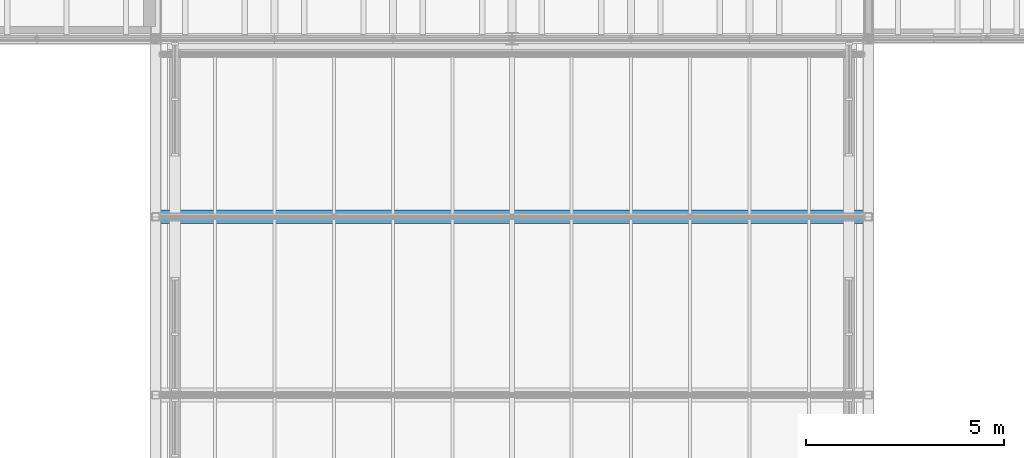
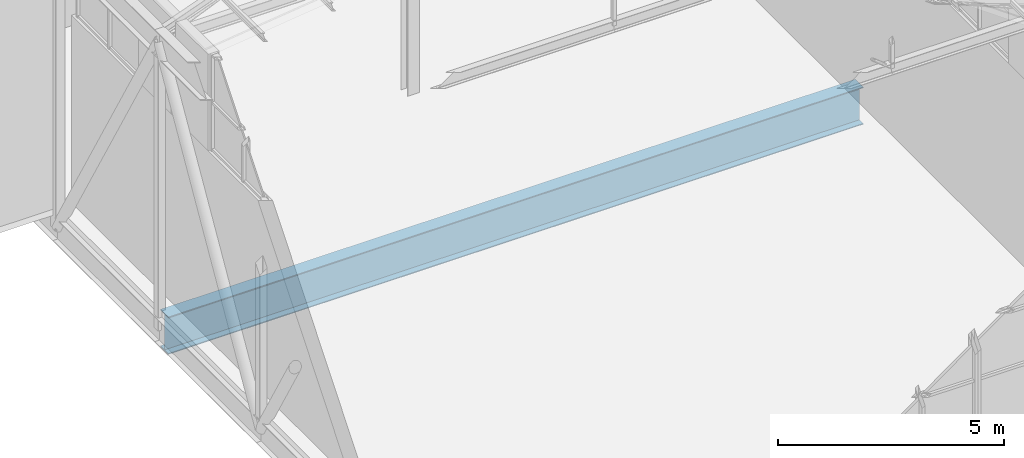
# One storey, part 19 of 90: 1 beam.
"""IFC4 building model written with IfcOpenShell, lengths in metres."""

from ifc_helpers import new_model, si_unit, direction, frame, origin, origin_2d, place, context, subcontext, project, spatial, i_section, extrude, material, material_profile, profile_set, type_object, element, save


model = new_model("IFC4")

# Units and contexts
model_context = context("Model", 3, precision=1e-05, world=origin(), true_north=direction((0.0, 1.0)))
body_context = subcontext(model_context, "Body", "Model", "MODEL_VIEW")
ifc_project = project(units=[si_unit("LENGTHUNIT", "METRE"), si_unit("AREAUNIT", "SQUARE_METRE"), si_unit("VOLUMEUNIT", "CUBIC_METRE"), si_unit("PLANEANGLEUNIT", "RADIAN"), si_unit("MASSUNIT", "GRAM", prefix="KILO")], contexts=[model_context])

# Site, building, storey
site_placement = place(None, origin())
site = spatial("IfcSite", under=ifc_project, at=site_placement, CompositionType="ELEMENT")
building_placement = place(site_placement, origin())
building = spatial("IfcBuilding", under=site, at=building_placement, Name="Halyard Row Museum", CompositionType="ELEMENT")
storey_placement = place(building_placement, frame((0.0, 0.0, 13.39990234375)))
storey = spatial("IfcBuildingStorey", under=building, at=storey_placement, Name="L03", CompositionType="ELEMENT", Elevation=13.39990234375)

# Beam
ifc_material = material(Name="Steel Grade 300", Category="steel")
ifc_material_profile = material_profile(ifc_material, i_section(OverallWidth=0.35009765625, OverallDepth=1.010009765625, WebThickness=0.01611328125, FlangeThickness=0.02490234375, at=origin_2d()), Name="1000WB258")
ifc_profile_set = profile_set([ifc_material_profile], Name="Steel Grade 300")
beam_type = type_object("IfcBeamType", Name="Cross girder beam 1000WB258", PredefinedType="BEAM", material=ifc_profile_set)
beam_placement = place(storey_placement, frame((36.125, 13.5, -0.669921875), z_axis=(1.0, 0.0, 0.0), x_axis=(0.0, 1.0, 0.0)))
element("IfcBeam", 1, at=beam_placement, inside=storey, type_object=beam_type, Name="Beam L03-012", PredefinedType="BEAM", context=body_context, shape_type="SweptSolid", body=[
    extrude(i_section(OverallWidth=0.35009765625, OverallDepth=1.010009765625, WebThickness=0.01611328125, FlangeThickness=0.02490234375, at=origin_2d()), origin(), (0.0, 0.0, 1.0), 17.75),
])

save(model, "model.ifc")
